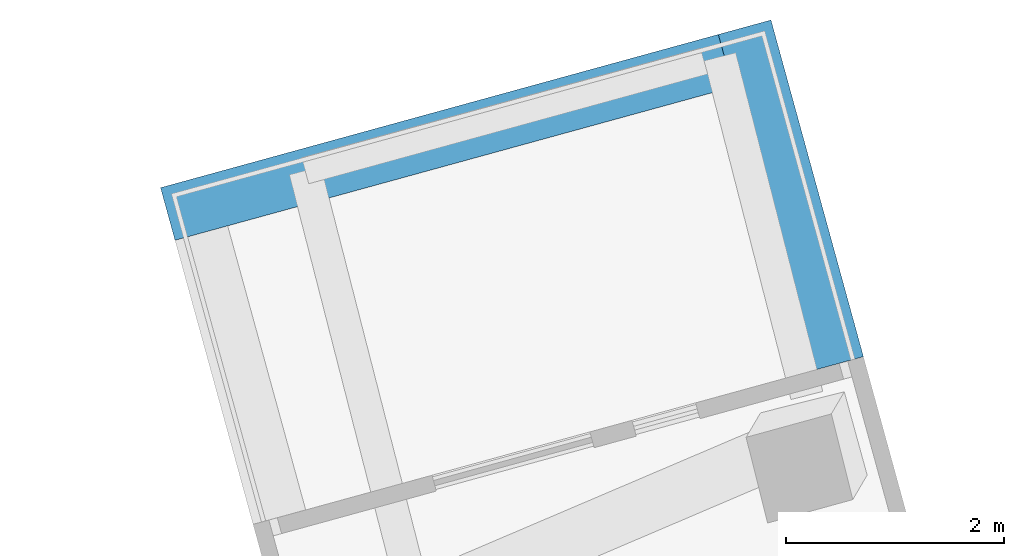
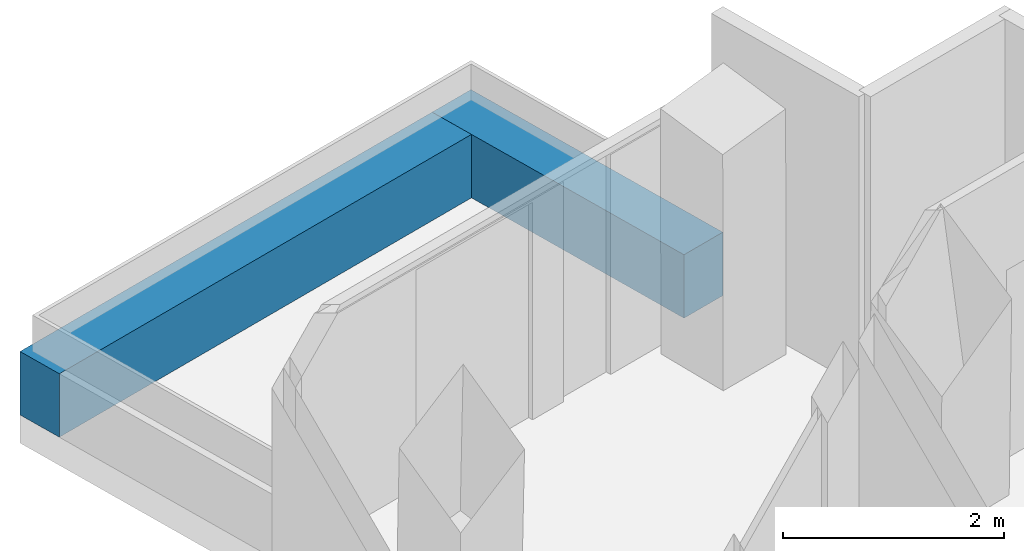
# One storey, part 23 of 26: 2 walls.
"""IFC4 building model written with IfcOpenShell, lengths in metres."""

from ifc_helpers import new_model, si_unit, direction, frame, frame_2d, origin, place, context, subcontext, project, spatial, rectangle, extrude, material, layer, layer_set, type_object, element, save


model = new_model("IFC4")

# Units and contexts
model_context = context("Model", 3, precision=1e-05, world=origin(), true_north=direction((0.0, 1.0)))
body_context = subcontext(model_context, "Body", "Model", "MODEL_VIEW")
ifc_project = project(units=[si_unit("LENGTHUNIT", "METRE"), si_unit("AREAUNIT", "SQUARE_METRE"), si_unit("VOLUMEUNIT", "CUBIC_METRE"), si_unit("PLANEANGLEUNIT", "RADIAN"), si_unit("MASSUNIT", "GRAM", prefix="KILO")], contexts=[model_context])

# Site, building, storey
site_placement = place(None, origin())
site = spatial("IfcSite", under=ifc_project, at=site_placement, CompositionType="ELEMENT")
building_placement = place(site_placement, origin())
building = spatial("IfcBuilding", under=site, at=building_placement, Name="Verdalira Terraces Hotel", CompositionType="ELEMENT")
storey_placement = place(building_placement, frame((0.0, 0.0, 96.5)))
storey = spatial("IfcBuildingStorey", under=building, at=storey_placement, Name="L22", CompositionType="ELEMENT", Elevation=96.5)

# Walls
ifc_material = material(Name="Concrete C40", Category="concrete")
ifc_layer = layer(ifc_material, 0.5)
ifc_layer_set = layer_set([ifc_layer], Name="Balcony planter trough with tree")
wall_type = type_object("IfcWallType", Name="Balcony planter trough with tree", PredefinedType="SOLIDWALL", material=ifc_layer_set)
wall_1_placement = place(storey_placement, frame((-6.352539, 33.130371, 0.0), z_axis=(0.0, 0.0, 1.0), x_axis=(-0.264899272, 0.964276089, 0.0)))
element("IfcWall", 1, at=wall_1_placement, inside=storey, type_object=wall_type, Name="Balcony planter", PredefinedType="SOLIDWALL", context=body_context, shape_type="SweptSolid", body=[
    extrude(rectangle(XDim=3.198975, YDim=0.5, at=frame_2d((1.599609, 0.0))), origin(), (0.0, 0.0, 1.0), 0.699951),
])
wall_2_placement = place(storey_placement, frame((-7.374756, 35.907959, 0.0), z_axis=(0.0, 0.0, 1.0), x_axis=(-0.964274253, -0.264905954, 0.0)))
element("IfcWall", 2, at=wall_2_placement, inside=storey, type_object=wall_type, Name="Balcony planter", PredefinedType="SOLIDWALL", context=body_context, shape_type="SweptSolid", body=[
    extrude(rectangle(XDim=5.300293, YDim=0.5, at=frame_2d((2.650146, 0.0))), origin(), (0.0, 0.0, 1.0), 0.699951),
])

save(model, "model.ifc")
